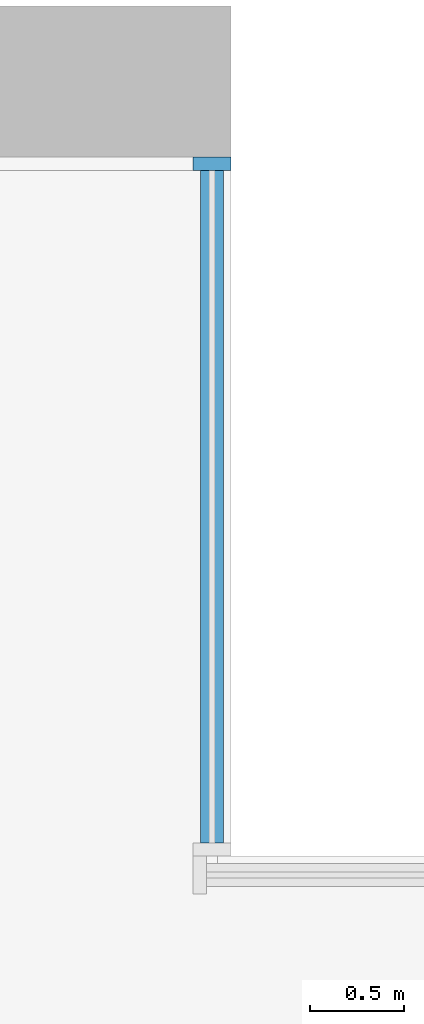
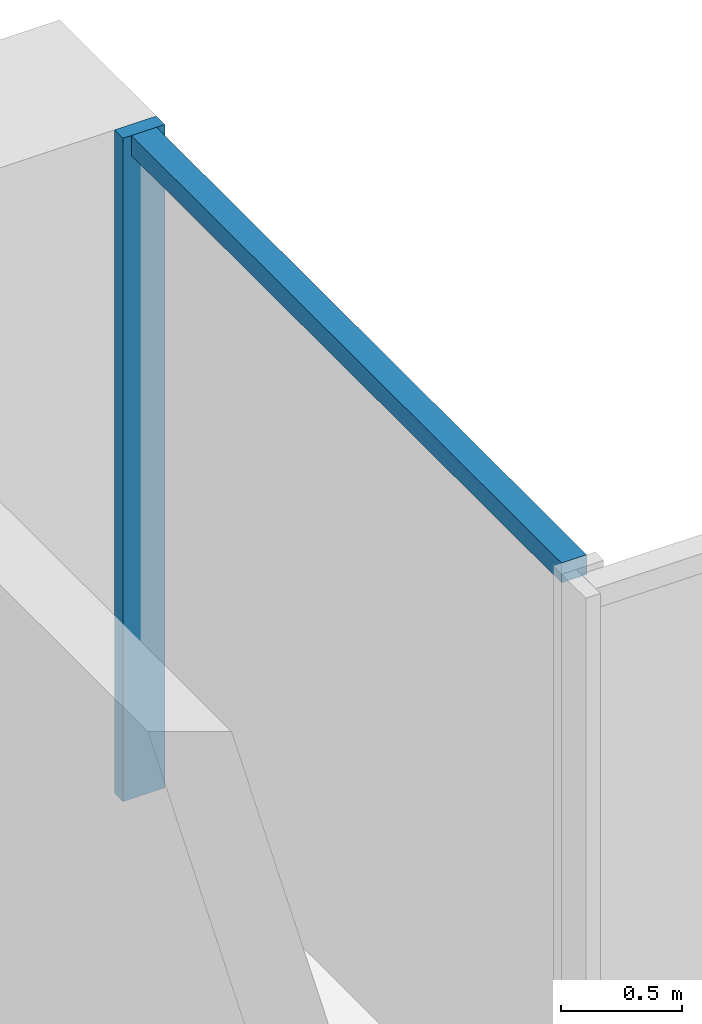
# One storey, part 6 of 15: 2 members, 1 element without a shape of its own.
"""IFC4 building model written with IfcOpenShell, lengths in metres."""

from ifc_helpers import new_model, si_unit, direction, frame, origin, origin_2d, place, context, subcontext, project, spatial, rectangle, extrude, material, material_profile, profile_set, type_object, element, aggregate, save


model = new_model("IFC4")

# Units and contexts
model_context = context("Model", 3, precision=1e-05, world=origin(), true_north=direction((0.0, 1.0)))
body_context = subcontext(model_context, "Body", "Model", "MODEL_VIEW")
ifc_project = project(units=[si_unit("LENGTHUNIT", "METRE"), si_unit("AREAUNIT", "SQUARE_METRE"), si_unit("VOLUMEUNIT", "CUBIC_METRE"), si_unit("PLANEANGLEUNIT", "RADIAN"), si_unit("MASSUNIT", "GRAM", prefix="KILO")], contexts=[model_context])

# Site, building, storey
site_placement = place(None, origin())
site = spatial("IfcSite", under=ifc_project, at=site_placement, CompositionType="ELEMENT")
building_placement = place(site_placement, origin())
building = spatial("IfcBuilding", under=site, at=building_placement, Name="Calvaro Tower", CompositionType="ELEMENT")
storey_placement = place(building_placement, frame((0.0, 0.0, 121.25)))
storey = spatial("IfcBuildingStorey", under=building, at=storey_placement, Name="L30", CompositionType="ELEMENT", Elevation=121.25)

# Curtain wall, members
ifc_material_1 = material(Name="Anodised aluminium", Category="aluminium")
curtain_wall_type = type_object("IfcCurtainWallType", Name="Office curtain wall, middle zone", PredefinedType="NOTDEFINED", material=ifc_material_1)
curtain_wall_placement = place(storey_placement, origin())
curtain_wall = element("IfcCurtainWall", 1, at=curtain_wall_placement, inside=storey, type_object=curtain_wall_type, Name="CW2 corner curtain wall", PredefinedType="NOTDEFINED")
ifc_material_2 = material(Name="Anodised aluminium", Category="aluminium")
ifc_material_profile_1 = material_profile(ifc_material_2, rectangle(XDim=0.199951171875, YDim=0.070068359375, at=origin_2d()), Name="Mullion S2 70 x 200")
ifc_profile_set_1 = profile_set([ifc_material_profile_1], Name="Anodised aluminium")
member_type_1 = type_object("IfcMemberType", Name="Mullion S2 70 x 200", PredefinedType="MULLION", material=ifc_profile_set_1)
member_1_placement = place(storey_placement, frame((66.35009765625, 45.1650390625, 0.0), z_axis=(0.0, 0.0, 1.0), x_axis=(-1.0, 0.0, 0.0)))
member_1 = element("IfcMember", 2, at=member_1_placement, type_object=member_type_1, Name="CW2 mullion 2", PredefinedType="MULLION", context=body_context, shape_type="SweptSolid", body=[
    extrude(rectangle(XDim=0.199951171875, YDim=0.070068359375, at=origin_2d()), origin(), (0.0, 0.0, 1.0), 3.35009765625),
])
ifc_material_3 = material(Name="Anodised aluminium", Category="aluminium")
ifc_material_profile_2 = material_profile(ifc_material_3, rectangle(XDim=0.1201171875, YDim=0.10009765625, at=origin_2d()), Name="Transom S2 100 x 120")
ifc_profile_set_2 = profile_set([ifc_material_profile_2], Name="Anodised aluminium")
member_type_2 = type_object("IfcMemberType", Name="Transom S2 100 x 120", PredefinedType="USERDEFINED", material=ifc_profile_set_2)
member_2_placement = place(storey_placement, frame((66.35009765625, 41.570068359375, 3.300048828125), z_axis=(0.0, 1.0, 0.0), x_axis=(-1.0, 0.0, 0.0)))
member_2 = element("IfcMember", 3, at=member_2_placement, type_object=member_type_2, Name="CW2 transom 1.1", ObjectType="TRANSOM", PredefinedType="USERDEFINED", context=body_context, shape_type="SweptSolid", body=[
    extrude(rectangle(XDim=0.1201171875, YDim=0.10009765625, at=origin_2d()), origin(), (0.0, 0.0, 1.0), 3.559814453125),
])
aggregate(curtain_wall, [member_1, member_2])

save(model, "model.ifc")
